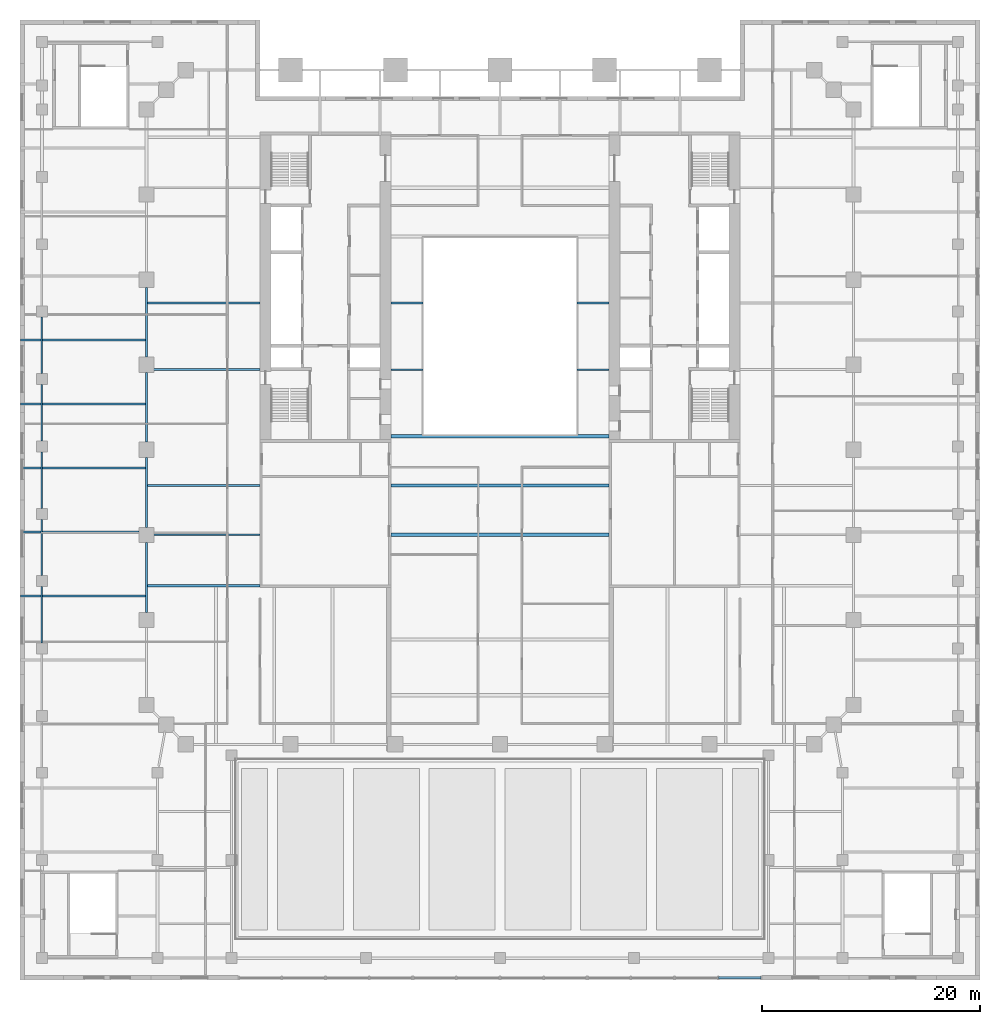
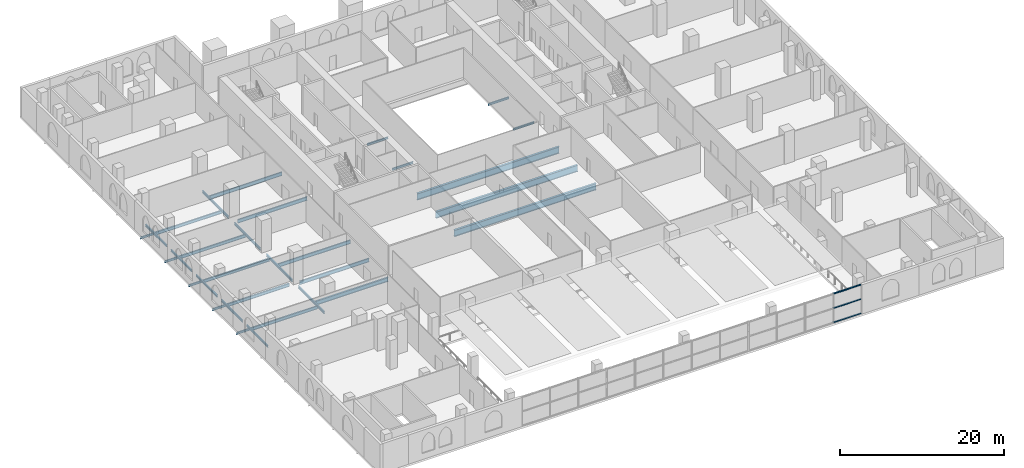
# One storey, part 4 of 18: 31 beams, 3 members, 1 element without a shape of its own.
"""IFC4 building model written with IfcOpenShell, lengths in metres."""

from ifc_helpers import new_model, si_unit, direction, frame, origin, origin_2d, place, context, subcontext, project, spatial, rectangle, i_section, extrude, material, material_profile, profile_set, type_object, element, aggregate, save


model = new_model("IFC4")

# Units and contexts
model_context = context("Model", 3, precision=1e-05, world=origin(), true_north=direction((0.0, 1.0)))
body_context = subcontext(model_context, "Body", "Model", "MODEL_VIEW")
ifc_project = project(units=[si_unit("LENGTHUNIT", "METRE"), si_unit("AREAUNIT", "SQUARE_METRE"), si_unit("VOLUMEUNIT", "CUBIC_METRE"), si_unit("PLANEANGLEUNIT", "RADIAN"), si_unit("MASSUNIT", "GRAM", prefix="KILO")], contexts=[model_context])

# Site, building, storey
site_placement = place(None, origin())
site = spatial("IfcSite", under=ifc_project, at=site_placement, CompositionType="ELEMENT")
building_placement = place(site_placement, origin())
building = spatial("IfcBuilding", under=site, at=building_placement, Name="Ogive Exchange Tower", CompositionType="ELEMENT")
storey_placement = place(building_placement, frame((0.0, 0.0, 28.800048828125)))
storey = spatial("IfcBuildingStorey", under=building, at=storey_placement, Name="L05", CompositionType="ELEMENT", Elevation=28.800048828125)

# Beams
ifc_material_1 = material(Name="Steel ASTM A992 Gr50", Category="steel")
ifc_material_profile_1 = material_profile(ifc_material_1, i_section(OverallWidth=0.300048828125, OverallDepth=0.969970703125, WebThickness=0.01611328125, FlangeThickness=0.02099609375, at=origin_2d()), Name="W1000x222")
ifc_profile_set_1 = profile_set([ifc_material_profile_1], Name="Steel ASTM A992 Gr50")
beam_type_1 = type_object("IfcBeamType", Name="Floor beam W1000x222", PredefinedType="JOIST", material=ifc_profile_set_1)
for number, where, z_axis, x_axis, name in (
    (1, (-10.0, -11.17822265625, -0.78515625), (1.0, 0.0, 0.0), (0.0, 1.0, 0.0), "Floor beam"),
    (2, (-10.0, -6.666748046875, -0.78515625), (1.0, 0.0, 0.0), (0.0, 1.0, 0.0), "Floor beam"),
):
    element("IfcBeam", number, at=place(storey_placement, frame(where, z_axis=z_axis, x_axis=x_axis)), inside=storey, type_object=beam_type_1, Name=name, PredefinedType="JOIST", context=body_context, shape_type="SweptSolid", body=[
        extrude(i_section(OverallWidth=0.300048828125, OverallDepth=0.969970703125, WebThickness=0.01611328125, FlangeThickness=0.02099609375, at=origin_2d()), origin(), (0.0, 0.0, 1.0), 20.0),
    ])
ifc_material_profile_2 = material_profile(ifc_material_1, i_section(OverallWidth=0.1650390625, OverallDepth=0.31005859375, WebThickness=0.005859375, FlangeThickness=0.009765625, at=origin_2d()), Name="W310x38.7")
ifc_profile_set_2 = profile_set([ifc_material_profile_2], Name="Steel ASTM A992 Gr50")
beam_type_2 = type_object("IfcBeamType", Name="Floor beam W310x38.7", PredefinedType="JOIST", material=ifc_profile_set_2)
for number, where, z_axis, x_axis, name in (
    (3, (-10.0, 3.9482421875, -0.455078125), (1.0, 0.0, 0.0), (0.0, 1.0, 0.0), "Floor beam"),
    (4, (7.050048828125, 3.9482421875, -0.455078125), (1.0, 0.0, 0.0), (0.0, 1.0, 0.0), "Floor beam"),
    (5, (-10.0, 10.0517578125, -0.455078125), (1.0, 0.0, 0.0), (0.0, 1.0, 0.0), "Floor beam"),
    (6, (7.050048828125, 10.0517578125, -0.455078125), (1.0, 0.0, 0.0), (0.0, 1.0, 0.0), "Floor beam"),
):
    element("IfcBeam", number, at=place(storey_placement, frame(where, z_axis=z_axis, x_axis=x_axis)), inside=storey, type_object=beam_type_2, Name=name, PredefinedType="JOIST", context=body_context, shape_type="SweptSolid", body=[
        extrude(i_section(OverallWidth=0.1650390625, OverallDepth=0.31005859375, WebThickness=0.005859375, FlangeThickness=0.009765625, at=origin_2d()), origin(), (0.0, 0.0, 1.0), 2.949951171875),
    ])
for number, where, z_axis, x_axis, name in (
    (7, (-43.949951171875, -16.800048828125, -0.455078125), (1.0, 0.0, 0.0), (0.0, 1.0, 0.0), "Floor beam"),
    (8, (-43.949951171875, -10.933349609375, -0.455078125), (1.0, 0.0, 0.0), (0.0, 1.0, 0.0), "Floor beam"),
    (9, (-43.949951171875, -5.066650390625, -0.455078125), (1.0, 0.0, 0.0), (0.0, 1.0, 0.0), "Floor beam"),
    (10, (-43.949951171875, 0.800048828125, -0.455078125), (1.0, 0.0, 0.0), (0.0, 1.0, 0.0), "Floor beam"),
    (11, (-43.949951171875, 6.666748046875, -0.455078125), (1.0, 0.0, 0.0), (0.0, 1.0, 0.0), "Floor beam"),
):
    element("IfcBeam", number, at=place(storey_placement, frame(where, z_axis=z_axis, x_axis=x_axis)), inside=storey, type_object=beam_type_2, Name=name, PredefinedType="JOIST", context=body_context, shape_type="SweptSolid", body=[
        extrude(i_section(OverallWidth=0.1650390625, OverallDepth=0.31005859375, WebThickness=0.005859375, FlangeThickness=0.009765625, at=origin_2d()), origin(), (0.0, 0.0, 1.0), 1.867431640625),
    ])
ifc_material_profile_3 = material_profile(ifc_material_1, i_section(OverallWidth=0.19091796875, OverallDepth=0.45703125, WebThickness=0.009033203125, FlangeThickness=0.014404296875, at=origin_2d()), Name="W460x74")
ifc_profile_set_3 = profile_set([ifc_material_profile_3], Name="Steel ASTM A992 Gr50")
beam_type_3 = type_object("IfcBeamType", Name="Floor beam W460x74", PredefinedType="JOIST", material=ifc_profile_set_3)
beam_1_placement = place(storey_placement, frame((-41.91748046875, -16.800048828125, -0.528564453125), z_axis=(1.0, 0.0, 0.0), x_axis=(0.0, 1.0, 0.0)))
element("IfcBeam", 12, at=beam_1_placement, inside=storey, type_object=beam_type_3, Name="Floor beam", PredefinedType="JOIST", context=body_context, shape_type="SweptSolid", body=[
    extrude(i_section(OverallWidth=0.19091796875, OverallDepth=0.45703125, WebThickness=0.009033203125, FlangeThickness=0.014404296875, at=origin_2d()), origin(), (0.0, 0.0, 1.0), 9.431884765625),
])
beam_2_placement = place(storey_placement, frame((-41.91748046875, -10.933349609375, -0.528564453125), z_axis=(1.0, 0.0, 0.0), x_axis=(0.0, 1.0, 0.0)))
element("IfcBeam", 13, at=beam_2_placement, inside=storey, type_object=beam_type_3, Name="Floor beam", PredefinedType="JOIST", context=body_context, shape_type="SweptSolid", body=[
    extrude(i_section(OverallWidth=0.19091796875, OverallDepth=0.45703125, WebThickness=0.009033203125, FlangeThickness=0.014404296875, at=origin_2d()), origin(), (0.0, 0.0, 1.0), 8.8173828125),
])
for number, where, z_axis, x_axis, name in (
    (14, (-41.91748046875, -5.066650390625, -0.528564453125), (1.0, 0.0, 0.0), (0.0, 1.0, 0.0), "Floor beam"),
    (15, (-41.91748046875, 0.800048828125, -0.528564453125), (1.0, 0.0, 0.0), (0.0, 1.0, 0.0), "Floor beam"),
    (16, (-41.91748046875, 6.666748046875, -0.528564453125), (1.0, 0.0, 0.0), (0.0, 1.0, 0.0), "Floor beam"),
):
    element("IfcBeam", number, at=place(storey_placement, frame(where, z_axis=z_axis, x_axis=x_axis)), inside=storey, type_object=beam_type_3, Name=name, PredefinedType="JOIST", context=body_context, shape_type="SweptSolid", body=[
        extrude(i_section(OverallWidth=0.19091796875, OverallDepth=0.45703125, WebThickness=0.009033203125, FlangeThickness=0.014404296875, at=origin_2d()), origin(), (0.0, 0.0, 1.0), 9.431884765625),
    ])
ifc_material_profile_4 = material_profile(ifc_material_1, i_section(OverallWidth=0.1669921875, OverallDepth=0.535888671875, WebThickness=0.01025390625, FlangeThickness=0.0166015625, at=origin_2d()), Name="W530x85")
ifc_profile_set_4 = profile_set([ifc_material_profile_4], Name="Steel ASTM A992 Gr50")
beam_type_4 = type_object("IfcBeamType", Name="Floor beam W530x85", PredefinedType="JOIST", material=ifc_profile_set_4)
beam_3_placement = place(storey_placement, frame((-31.800048828125, -11.17822265625, -0.568115234375), z_axis=(1.0, 0.0, 0.0), x_axis=(0.0, 1.0, 0.0)))
element("IfcBeam", 17, at=beam_3_placement, inside=storey, type_object=beam_type_4, Name="Floor beam", PredefinedType="JOIST", context=body_context, shape_type="SweptSolid", body=[
    extrude(i_section(OverallWidth=0.1669921875, OverallDepth=0.535888671875, WebThickness=0.01025390625, FlangeThickness=0.0166015625, at=origin_2d()), origin(), (0.0, 0.0, 1.0), 9.800048828125),
])
beam_4_placement = place(storey_placement, frame((-32.344970703125, -6.666748046875, -0.568115234375), z_axis=(1.0, 0.0, 0.0), x_axis=(0.0, 1.0, 0.0)))
element("IfcBeam", 18, at=beam_4_placement, inside=storey, type_object=beam_type_4, Name="Floor beam", PredefinedType="JOIST", context=body_context, shape_type="SweptSolid", body=[
    extrude(i_section(OverallWidth=0.1669921875, OverallDepth=0.535888671875, WebThickness=0.01025390625, FlangeThickness=0.0166015625, at=origin_2d()), origin(), (0.0, 0.0, 1.0), 10.344970703125),
])
beam_5_placement = place(storey_placement, frame((-31.800048828125, 3.9482421875, -0.568115234375), z_axis=(1.0, 0.0, 0.0), x_axis=(0.0, 1.0, 0.0)))
element("IfcBeam", 19, at=beam_5_placement, inside=storey, type_object=beam_type_4, Name="Floor beam", PredefinedType="JOIST", context=body_context, shape_type="SweptSolid", body=[
    extrude(i_section(OverallWidth=0.1669921875, OverallDepth=0.535888671875, WebThickness=0.01025390625, FlangeThickness=0.0166015625, at=origin_2d()), origin(), (0.0, 0.0, 1.0), 9.800048828125),
])
beam_6_placement = place(storey_placement, frame((-32.344970703125, 10.0517578125, -0.568115234375), z_axis=(1.0, 0.0, 0.0), x_axis=(0.0, 1.0, 0.0)))
element("IfcBeam", 20, at=beam_6_placement, inside=storey, type_object=beam_type_4, Name="Floor beam", PredefinedType="JOIST", context=body_context, shape_type="SweptSolid", body=[
    extrude(i_section(OverallWidth=0.1669921875, OverallDepth=0.535888671875, WebThickness=0.01025390625, FlangeThickness=0.0166015625, at=origin_2d()), origin(), (0.0, 0.0, 1.0), 10.344970703125),
])

# Curtain wall, members
ifc_material_2 = material(Name="Anodised aluminium and clear glass", Category="aluminium")
curtain_wall_type = type_object("IfcCurtainWallType", Name="Galleria end wall glazing", PredefinedType="NOTDEFINED", material=ifc_material_2)
curtain_wall_placement = place(storey_placement, origin())
curtain_wall = element("IfcCurtainWall", 21, at=curtain_wall_placement, inside=storey, type_object=curtain_wall_type, Name="Galleria end wall glazing run GE9", PredefinedType="NOTDEFINED")
ifc_material_3 = material(Name="Anodised aluminium", Category="aluminium")
ifc_material_profile_5 = material_profile(ifc_material_3, rectangle(XDim=0.219970703125, YDim=0.080078125, at=origin_2d()), Name="AL 80x220")
ifc_profile_set_5 = profile_set([ifc_material_profile_5], Name="Anodised aluminium")
member_type = type_object("IfcMemberType", Name="Galleria end wall glazing transom 80 x 220", PredefinedType="USERDEFINED", material=ifc_profile_set_5)
member_1_placement = place(storey_placement, frame((20.0400390625, -51.800048828125, 0.0400390625), z_axis=(1.0, 0.0, 0.0), x_axis=(0.0, 1.0, 0.0)))
member_1 = element("IfcMember", 22, at=member_1_placement, type_object=member_type, Name="GE9 transom 2.1", ObjectType="TRANSOM", PredefinedType="USERDEFINED", context=body_context, shape_type="SweptSolid", body=[
    extrude(rectangle(XDim=0.219970703125, YDim=0.080078125, at=origin_2d()), origin(), (0.0, 0.0, 1.0), 3.8798828125),
])
member_2_placement = place(storey_placement, frame((20.0400390625, -51.800048828125, 2.175048828125), z_axis=(1.0, 0.0, 0.0), x_axis=(0.0, 1.0, 0.0)))
member_2 = element("IfcMember", 23, at=member_2_placement, type_object=member_type, Name="GE9 transom 2.2", ObjectType="TRANSOM", PredefinedType="USERDEFINED", context=body_context, shape_type="SweptSolid", body=[
    extrude(rectangle(XDim=0.219970703125, YDim=0.080078125, at=origin_2d()), origin(), (0.0, 0.0, 1.0), 3.8798828125),
])
member_3_placement = place(storey_placement, frame((20.0400390625, -51.800048828125, 4.31005859375), z_axis=(1.0, 0.0, 0.0), x_axis=(0.0, 1.0, 0.0)))
member_3 = element("IfcMember", 24, at=member_3_placement, type_object=member_type, Name="GE9 transom 2.3", ObjectType="TRANSOM", PredefinedType="USERDEFINED", context=body_context, shape_type="SweptSolid", body=[
    extrude(rectangle(XDim=0.219970703125, YDim=0.080078125, at=origin_2d()), origin(), (0.0, 0.0, 1.0), 3.8798828125),
])
aggregate(curtain_wall, [member_1, member_2, member_3])

# Beams
ifc_material_profile_6 = material_profile(ifc_material_1, i_section(OverallWidth=0.300048828125, OverallDepth=0.97998046875, WebThickness=0.0166015625, FlangeThickness=0.026123046875, at=origin_2d()), Name="W1000x249")
ifc_profile_set_6 = profile_set([ifc_material_profile_6], Name="Steel ASTM A992 Gr50")
beam_type_5 = type_object("IfcBeamType", Name="Girder W1000x249", PredefinedType="BEAM", material=ifc_profile_set_6)
beam_7_placement = place(storey_placement, frame((-10.0, -2.155029296875, -0.7900390625), z_axis=(1.0, 0.0, 0.0), x_axis=(0.0, 1.0, 0.0)))
element("IfcBeam", 25, at=beam_7_placement, inside=storey, type_object=beam_type_5, Name="Trimmer girder", PredefinedType="BEAM", context=body_context, shape_type="SweptSolid", body=[
    extrude(i_section(OverallWidth=0.300048828125, OverallDepth=0.97998046875, WebThickness=0.0166015625, FlangeThickness=0.026123046875, at=origin_2d()), origin(), (0.0, 0.0, 1.0), 20.0),
])
ifc_material_profile_7 = material_profile(ifc_material_1, i_section(OverallWidth=0.1650390625, OverallDepth=0.31005859375, WebThickness=0.005859375, FlangeThickness=0.009765625, at=origin_2d()), Name="W310x38.7")
ifc_profile_set_7 = profile_set([ifc_material_profile_7], Name="Steel ASTM A992 Gr50")
beam_type_6 = type_object("IfcBeamType", Name="Girder W310x38.7", PredefinedType="BEAM", material=ifc_profile_set_7)
beam_8_placement = place(storey_placement, frame((-42.0, -21.1201171875, -0.455078125), z_axis=(0.0, 1.0, 0.0), x_axis=(-1.0, 0.0, 0.0)))
element("IfcBeam", 26, at=beam_8_placement, inside=storey, type_object=beam_type_6, Name="Girder", PredefinedType="BEAM", context=body_context, shape_type="SweptSolid", body=[
    extrude(i_section(OverallWidth=0.1650390625, OverallDepth=0.31005859375, WebThickness=0.005859375, FlangeThickness=0.009765625, at=origin_2d()), origin(), (0.0, 0.0, 1.0), 5.18017578125),
])
beam_9_placement = place(storey_placement, frame((-42.0, -14.93994140625, -0.455078125), z_axis=(0.0, 1.0, 0.0), x_axis=(-1.0, 0.0, 0.0)))
element("IfcBeam", 27, at=beam_9_placement, inside=storey, type_object=beam_type_6, Name="Girder", PredefinedType="BEAM", context=body_context, shape_type="SweptSolid", body=[
    extrude(i_section(OverallWidth=0.1650390625, OverallDepth=0.31005859375, WebThickness=0.005859375, FlangeThickness=0.009765625, at=origin_2d()), origin(), (0.0, 0.0, 1.0), 5.169921875),
])
beam_10_placement = place(storey_placement, frame((-42.0, -8.77001953125, -0.455078125), z_axis=(0.0, 1.0, 0.0), x_axis=(-1.0, 0.0, 0.0)))
element("IfcBeam", 28, at=beam_10_placement, inside=storey, type_object=beam_type_6, Name="Girder", PredefinedType="BEAM", context=body_context, shape_type="SweptSolid", body=[
    extrude(i_section(OverallWidth=0.1650390625, OverallDepth=0.31005859375, WebThickness=0.005859375, FlangeThickness=0.009765625, at=origin_2d()), origin(), (0.0, 0.0, 1.0), 5.179931640625),
])
beam_11_placement = place(storey_placement, frame((-42.0, -2.590087890625, -0.455078125), z_axis=(0.0, 1.0, 0.0), x_axis=(-1.0, 0.0, 0.0)))
element("IfcBeam", 29, at=beam_11_placement, inside=storey, type_object=beam_type_6, Name="Girder", PredefinedType="BEAM", context=body_context, shape_type="SweptSolid", body=[
    extrude(i_section(OverallWidth=0.1650390625, OverallDepth=0.31005859375, WebThickness=0.005859375, FlangeThickness=0.009765625, at=origin_2d()), origin(), (0.0, 0.0, 1.0), 5.18017578125),
])
beam_12_placement = place(storey_placement, frame((-42.0, 3.590087890625, -0.455078125), z_axis=(0.0, 1.0, 0.0), x_axis=(-1.0, 0.0, 0.0)))
element("IfcBeam", 30, at=beam_12_placement, inside=storey, type_object=beam_type_6, Name="Girder", PredefinedType="BEAM", context=body_context, shape_type="SweptSolid", body=[
    extrude(i_section(OverallWidth=0.1650390625, OverallDepth=0.31005859375, WebThickness=0.005859375, FlangeThickness=0.009765625, at=origin_2d()), origin(), (0.0, 0.0, 1.0), 5.179931640625),
])
ifc_material_profile_8 = material_profile(ifc_material_1, i_section(OverallWidth=0.1708984375, OverallDepth=0.35595703125, WebThickness=0.00732421875, FlangeThickness=0.01171875, at=origin_2d()), Name="W360x51")
ifc_profile_set_8 = profile_set([ifc_material_profile_8], Name="Steel ASTM A992 Gr50")
beam_type_7 = type_object("IfcBeamType", Name="Girder W360x51", PredefinedType="BEAM", material=ifc_profile_set_8)
for number, where, z_axis, x_axis, name in (
    (31, (-32.39990234375, 11.5, -0.47802734375), (0.0, -1.0, 0.0), (1.0, 0.0, 0.0), "Girder"),
    (32, (-32.39990234375, 3.699951171875, -0.47802734375), (0.0, -1.0, 0.0), (1.0, 0.0, 0.0), "Girder"),
    (33, (-32.39990234375, -4.10009765625, -0.47802734375), (0.0, -1.0, 0.0), (1.0, 0.0, 0.0), "Girder"),
):
    element("IfcBeam", number, at=place(storey_placement, frame(where, z_axis=z_axis, x_axis=x_axis)), inside=storey, type_object=beam_type_7, Name=name, PredefinedType="BEAM", context=body_context, shape_type="SweptSolid", body=[
        extrude(i_section(OverallWidth=0.1708984375, OverallDepth=0.35595703125, WebThickness=0.00732421875, FlangeThickness=0.01171875, at=origin_2d()), origin(), (0.0, 0.0, 1.0), 6.39990234375),
    ])
beam_13_placement = place(storey_placement, frame((-32.39990234375, -11.89990234375, -0.47802734375), z_axis=(0.0, -1.0, 0.0), x_axis=(1.0, 0.0, 0.0)))
element("IfcBeam", 34, at=beam_13_placement, inside=storey, type_object=beam_type_7, Name="Girder", PredefinedType="BEAM", context=body_context, shape_type="SweptSolid", body=[
    extrude(i_section(OverallWidth=0.1708984375, OverallDepth=0.35595703125, WebThickness=0.00732421875, FlangeThickness=0.01171875, at=origin_2d()), origin(), (0.0, 0.0, 1.0), 6.400146484375),
])
ifc_material_profile_9 = material_profile(ifc_material_1, i_section(OverallWidth=0.22802734375, OverallDepth=0.60205078125, WebThickness=0.010498046875, FlangeThickness=0.014892578125, at=origin_2d()), Name="W610x101")
ifc_profile_set_9 = profile_set([ifc_material_profile_9], Name="Steel ASTM A992 Gr50")
beam_type_8 = type_object("IfcBeamType", Name="Girder W610x101", PredefinedType="BEAM", material=ifc_profile_set_9)
beam_14_placement = place(storey_placement, frame((-22.0, -15.844970703125, -0.60107421875), z_axis=(-1.0, 0.0, 0.0), x_axis=(0.0, -1.0, 0.0)))
element("IfcBeam", 35, at=beam_14_placement, inside=storey, type_object=beam_type_8, Name="Header girder", PredefinedType="BEAM", context=body_context, shape_type="SweptSolid", body=[
    extrude(i_section(OverallWidth=0.22802734375, OverallDepth=0.60205078125, WebThickness=0.010498046875, FlangeThickness=0.014892578125, at=origin_2d()), origin(), (0.0, 0.0, 1.0), 10.344970703125),
])

save(model, "model.ifc")
